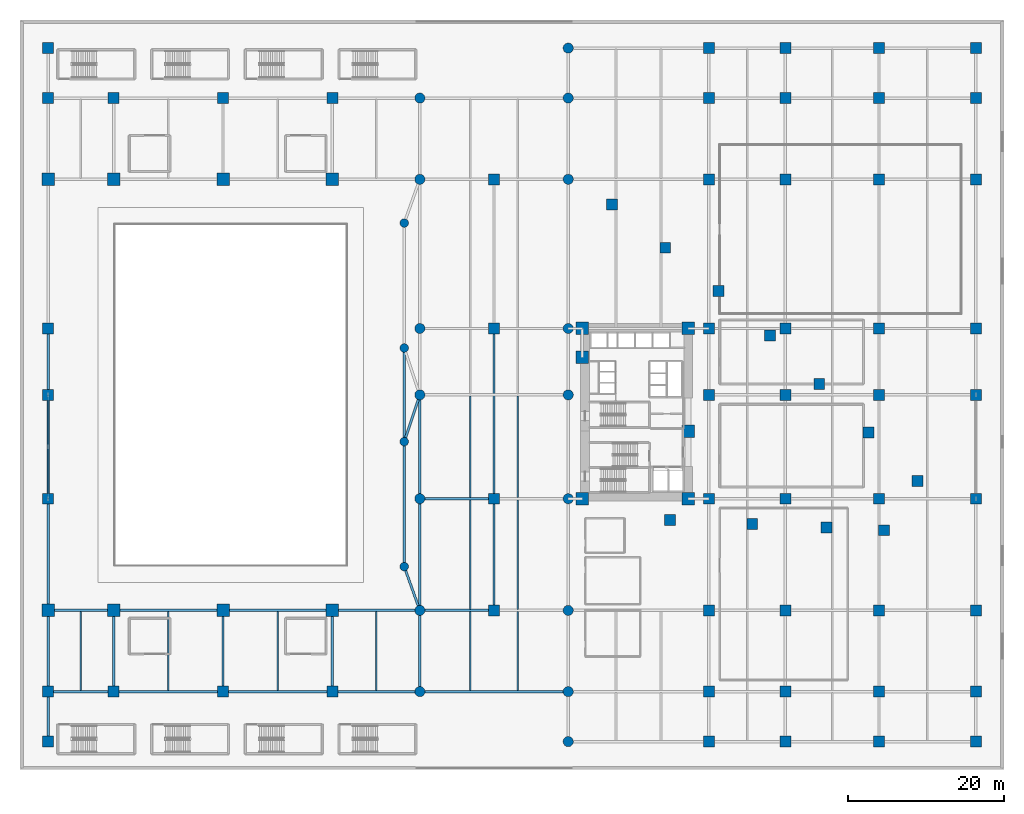
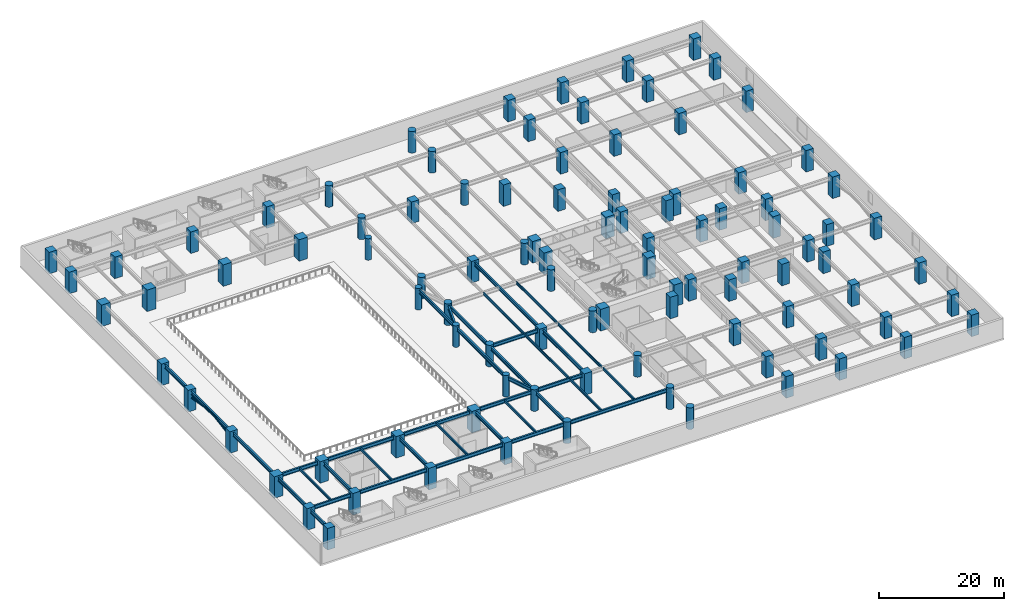
# One storey, part 1 of 22: 98 columns, 38 beams, 2 members.
"""IFC4 building model written with IfcOpenShell, lengths in metres."""

from ifc_helpers import new_model, si_unit, direction, frame, origin, origin_2d, place, context, subcontext, project, spatial, rectangle, circle, hollow_circle, i_section, extrude, material, material_profile, profile_set, type_object, element, save


model = new_model("IFC4")

# Units and contexts
model_context = context("Model", 3, precision=1e-05, world=origin(), true_north=direction((0.0, 1.0)))
body_context = subcontext(model_context, "Body", "Model", "MODEL_VIEW")
ifc_project = project(units=[si_unit("LENGTHUNIT", "METRE"), si_unit("AREAUNIT", "SQUARE_METRE"), si_unit("VOLUMEUNIT", "CUBIC_METRE"), si_unit("PLANEANGLEUNIT", "RADIAN"), si_unit("MASSUNIT", "GRAM", prefix="KILO")], contexts=[model_context])

# Site, building, storey
site_placement = place(None, origin())
site = spatial("IfcSite", under=ifc_project, at=site_placement, CompositionType="ELEMENT")
building_placement = place(site_placement, origin())
building = spatial("IfcBuilding", under=site, at=building_placement, Name="Narakoshi Arena Tower", CompositionType="ELEMENT")
storey_placement = place(building_placement, frame((0.0, 0.0, 13.199951171875)))
storey = spatial("IfcBuildingStorey", under=building, at=storey_placement, Name="L03", CompositionType="ELEMENT", Elevation=13.199951171875)

# Columns
ifc_material_1 = material(Name="Concrete C50/60", Category="concrete")
ifc_material_profile_1 = material_profile(ifc_material_1, circle(Radius=0.550048828125, at=origin_2d()), Name="RCC1100")
ifc_profile_set_1 = profile_set([ifc_material_profile_1], Name="Concrete C50/60")
column_type_1 = type_object("IfcColumnType", Name="COL-CIR1100", PredefinedType="PILASTER", material=ifc_profile_set_1)
for number, where, z_axis, x_axis, name in (
    (1, (49.199951171875, 26.0, 0.0), (0.0, 0.0, 1.0), (1.0, 0.0, 0.0), "L03 Arena Foyer Pilaster Column 01"),
    (2, (49.199951171875, 42.0, 0.0), (0.0, 0.0, 1.0), (1.0, 0.0, 0.0), "L03 Arena Foyer Pilaster Column 02"),
    (3, (49.199951171875, 54.0, 0.0), (0.0, 0.0, 1.0), (1.0, 0.0, 0.0), "L03 Arena Foyer Pilaster Column 03"),
    (4, (49.199951171875, 70.0, 0.0), (0.0, 0.0, 1.0), (1.0, 0.0, 0.0), "L03 Arena Foyer Pilaster Column 04"),
):
    element("IfcColumn", number, at=place(storey_placement, frame(where, z_axis=z_axis, x_axis=x_axis)), inside=storey, type_object=column_type_1, Name=name, PredefinedType="PILASTER", context=body_context, shape_type="SweptSolid", body=[
        extrude(circle(Radius=0.550048828125, at=origin_2d()), origin(), (0.0, 0.0, 1.0), 4.199951171875),
    ])
ifc_material_2 = material(Name="Concrete C60/75", Category="concrete")
ifc_material_profile_2 = material_profile(ifc_material_2, circle(Radius=0.64990234375, at=origin_2d()), Name="RCC1300")
ifc_profile_set_2 = profile_set([ifc_material_profile_2], Name="Concrete C60/75")
column_type_2 = type_object("IfcColumnType", Name="COL-CIR1300", PredefinedType="PILASTER", material=ifc_profile_set_2)
for number, where, z_axis, x_axis, name in (
    (5, (51.199951171875, 10.0, 0.0), (0.0, 0.0, 1.0), (1.0, 0.0, 0.0), "L03 Podium Column PC22"),
    (6, (51.199951171875, 20.39990234375, 0.0), (0.0, 0.0, 1.0), (1.0, 0.0, 0.0), "L03 Podium Column PC23"),
    (7, (51.199951171875, 34.699951171875, 0.0), (0.0, 0.0, 1.0), (1.0, 0.0, 0.0), "L03 Podium Column PC24"),
    (8, (51.199951171875, 48.0, 0.0), (0.0, 0.0, 1.0), (1.0, 0.0, 0.0), "L03 Podium Column PC25"),
    (9, (51.199951171875, 56.5, 0.0), (0.0, 0.0, 1.0), (1.0, 0.0, 0.0), "L03 Podium Column PC26"),
    (10, (51.199951171875, 75.60009765625, 0.0), (0.0, 0.0, 1.0), (1.0, 0.0, 0.0), "L03 Podium Column PC27"),
    (11, (51.199951171875, 86.0, 0.0), (0.0, 0.0, 1.0), (1.0, 0.0, 0.0), "L03 Podium Column PC28"),
    (12, (70.199951171875, 3.60009765625, 0.0), (0.0, 0.0, 1.0), (1.0, 0.0, 0.0), "L03 Podium Column PC33"),
    (13, (70.199951171875, 10.0, 0.0), (0.0, 0.0, 1.0), (1.0, 0.0, 0.0), "L03 Podium Column PC34"),
    (14, (70.199951171875, 20.39990234375, 0.0), (0.0, 0.0, 1.0), (1.0, 0.0, 0.0), "L03 Podium Column PC35"),
    (15, (70.199951171875, 34.699951171875, 0.0), (0.0, 0.0, 1.0), (1.0, 0.0, 0.0), "L03 Podium Column PC36"),
    (16, (70.199951171875, 48.0, 0.0), (0.0, 0.0, 1.0), (1.0, 0.0, 0.0), "L03 Podium Column PC37"),
    (17, (70.199951171875, 56.5, 0.0), (0.0, 0.0, 1.0), (1.0, 0.0, 0.0), "L03 Podium Column PC38"),
    (18, (70.199951171875, 75.60009765625, 0.0), (0.0, 0.0, 1.0), (1.0, 0.0, 0.0), "L03 Podium Column PC39"),
    (19, (70.199951171875, 86.0, 0.0), (0.0, 0.0, 1.0), (1.0, 0.0, 0.0), "L03 Podium Column PC40"),
    (20, (70.199951171875, 92.39990234375, 0.0), (0.0, 0.0, 1.0), (1.0, 0.0, 0.0), "L03 Podium Column PC41"),
):
    element("IfcColumn", number, at=place(storey_placement, frame(where, z_axis=z_axis, x_axis=x_axis)), inside=storey, type_object=column_type_2, Name=name, PredefinedType="PILASTER", context=body_context, shape_type="SweptSolid", body=[
        extrude(circle(Radius=0.64990234375, at=origin_2d()), origin(), (0.0, 0.0, 1.0), 4.199951171875),
    ])
ifc_material_profile_3 = material_profile(ifc_material_2, rectangle(XDim=1.39990234375, YDim=1.39990234375, at=origin_2d()), Name="RC1400x1400")
ifc_profile_set_3 = profile_set([ifc_material_profile_3], Name="Concrete C60/75")
column_type_3 = type_object("IfcColumnType", Name="COL-RC1400", PredefinedType="COLUMN", material=ifc_profile_set_3)
for number, where, z_axis, x_axis, name in (
    (21, (3.60009765625, 3.60009765625, 0.0), (0.0, 0.0, 1.0), (1.0, 0.0, 0.0), "L03 Podium Column PC01"),
    (22, (3.60009765625, 10.0, 0.0), (0.0, 0.0, 1.0), (1.0, 0.0, 0.0), "L03 Podium Column PC02"),
    (23, (3.60009765625, 34.699951171875, 0.0), (0.0, 0.0, 1.0), (1.0, 0.0, 0.0), "L03 Podium Column PC04"),
    (24, (3.60009765625, 48.0, 0.0), (0.0, 0.0, 1.0), (1.0, 0.0, 0.0), "L03 Podium Column PC05"),
    (25, (3.60009765625, 56.5, 0.0), (0.0, 0.0, 1.0), (1.0, 0.0, 0.0), "L03 Podium Column PC06"),
    (26, (3.60009765625, 86.0, 0.0), (0.0, 0.0, 1.0), (1.0, 0.0, 0.0), "L03 Podium Column PC08"),
    (27, (3.60009765625, 92.39990234375, 0.0), (0.0, 0.0, 1.0), (1.0, 0.0, 0.0), "L03 Podium Column PC09"),
    (28, (12.0, 10.0, 0.0), (0.0, 0.0, 1.0), (1.0, 0.0, 0.0), "L03 Podium Column PC10"),
    (29, (12.0, 86.0, 0.0), (0.0, 0.0, 1.0), (1.0, 0.0, 0.0), "L03 Podium Column PC13"),
    (30, (26.0, 10.0, 0.0), (0.0, 0.0, 1.0), (1.0, 0.0, 0.0), "L03 Podium Column PC14"),
    (31, (26.0, 86.0, 0.0), (0.0, 0.0, 1.0), (1.0, 0.0, 0.0), "L03 Podium Column PC17"),
    (32, (40.0, 10.0, 0.0), (0.0, 0.0, 1.0), (1.0, 0.0, 0.0), "L03 Podium Column PC18"),
    (33, (40.0, 86.0, 0.0), (0.0, 0.0, 1.0), (1.0, 0.0, 0.0), "L03 Podium Column PC21"),
    (34, (60.699951171875, 20.39990234375, 0.0), (0.0, 0.0, 1.0), (1.0, 0.0, 0.0), "L03 Podium Column PC29"),
    (35, (60.699951171875, 34.699951171875, 0.0), (0.0, 0.0, 1.0), (1.0, 0.0, 0.0), "L03 Podium Column PC30"),
    (36, (60.699951171875, 56.5, 0.0), (0.0, 0.0, 1.0), (1.0, 0.0, 0.0), "L03 Podium Column PC31"),
    (37, (60.699951171875, 75.60009765625, 0.0), (0.0, 0.0, 1.0), (1.0, 0.0, 0.0), "L03 Podium Column PC32"),
    (38, (88.199951171875, 3.60009765625, 0.0), (0.0, 0.0, 1.0), (1.0, 0.0, 0.0), "L03 Podium Column PC42"),
    (39, (88.199951171875, 10.0, 0.0), (0.0, 0.0, 1.0), (1.0, 0.0, 0.0), "L03 Podium Column PC43"),
    (40, (88.199951171875, 20.39990234375, 0.0), (0.0, 0.0, 1.0), (1.0, 0.0, 0.0), "L03 Podium Column PC44"),
    (41, (88.199951171875, 34.699951171875, 0.0), (0.0, 0.0, 1.0), (1.0, 0.0, 0.0), "L03 Podium Column PC45"),
    (42, (88.199951171875, 48.0, 0.0), (0.0, 0.0, 1.0), (1.0, 0.0, 0.0), "L03 Podium Column PC46"),
    (43, (88.199951171875, 56.5, 0.0), (0.0, 0.0, 1.0), (1.0, 0.0, 0.0), "L03 Podium Column PC47"),
    (44, (88.199951171875, 75.60009765625, 0.0), (0.0, 0.0, 1.0), (1.0, 0.0, 0.0), "L03 Podium Column PC48"),
    (45, (88.199951171875, 86.0, 0.0), (0.0, 0.0, 1.0), (1.0, 0.0, 0.0), "L03 Podium Column PC49"),
    (46, (88.199951171875, 92.39990234375, 0.0), (0.0, 0.0, 1.0), (1.0, 0.0, 0.0), "L03 Podium Column PC50"),
    (47, (98.0, 3.60009765625, 0.0), (0.0, 0.0, 1.0), (1.0, 0.0, 0.0), "L03 Podium Column PC51"),
    (48, (98.0, 10.0, 0.0), (0.0, 0.0, 1.0), (1.0, 0.0, 0.0), "L03 Podium Column PC52"),
    (49, (98.0, 20.39990234375, 0.0), (0.0, 0.0, 1.0), (1.0, 0.0, 0.0), "L03 Podium Column PC53"),
    (50, (98.0, 34.699951171875, 0.0), (0.0, 0.0, 1.0), (1.0, 0.0, 0.0), "L03 Podium Column PC54"),
    (51, (98.0, 48.0, 0.0), (0.0, 0.0, 1.0), (1.0, 0.0, 0.0), "L03 Podium Column PC55"),
    (52, (98.0, 56.5, 0.0), (0.0, 0.0, 1.0), (1.0, 0.0, 0.0), "L03 Podium Column PC56"),
    (53, (98.0, 75.60009765625, 0.0), (0.0, 0.0, 1.0), (1.0, 0.0, 0.0), "L03 Podium Column PC57"),
    (54, (98.0, 86.0, 0.0), (0.0, 0.0, 1.0), (1.0, 0.0, 0.0), "L03 Podium Column PC58"),
    (55, (98.0, 92.39990234375, 0.0), (0.0, 0.0, 1.0), (1.0, 0.0, 0.0), "L03 Podium Column PC59"),
    (56, (110.0, 3.60009765625, 0.0), (0.0, 0.0, 1.0), (1.0, 0.0, 0.0), "L03 Podium Column PC60"),
    (57, (110.0, 10.0, 0.0), (0.0, 0.0, 1.0), (1.0, 0.0, 0.0), "L03 Podium Column PC61"),
    (58, (110.0, 20.39990234375, 0.0), (0.0, 0.0, 1.0), (1.0, 0.0, 0.0), "L03 Podium Column PC62"),
    (59, (110.0, 34.699951171875, 0.0), (0.0, 0.0, 1.0), (1.0, 0.0, 0.0), "L03 Podium Column PC63"),
    (60, (110.0, 48.0, 0.0), (0.0, 0.0, 1.0), (1.0, 0.0, 0.0), "L03 Podium Column PC64"),
    (61, (110.0, 56.5, 0.0), (0.0, 0.0, 1.0), (1.0, 0.0, 0.0), "L03 Podium Column PC65"),
    (62, (110.0, 75.60009765625, 0.0), (0.0, 0.0, 1.0), (1.0, 0.0, 0.0), "L03 Podium Column PC66"),
    (63, (110.0, 86.0, 0.0), (0.0, 0.0, 1.0), (1.0, 0.0, 0.0), "L03 Podium Column PC67"),
    (64, (110.0, 92.39990234375, 0.0), (0.0, 0.0, 1.0), (1.0, 0.0, 0.0), "L03 Podium Column PC68"),
    (65, (122.39990234375, 3.60009765625, 0.0), (0.0, 0.0, 1.0), (1.0, 0.0, 0.0), "L03 Podium Column PC69"),
    (66, (122.39990234375, 10.0, 0.0), (0.0, 0.0, 1.0), (1.0, 0.0, 0.0), "L03 Podium Column PC70"),
    (67, (122.39990234375, 20.39990234375, 0.0), (0.0, 0.0, 1.0), (1.0, 0.0, 0.0), "L03 Podium Column PC71"),
    (68, (122.39990234375, 34.699951171875, 0.0), (0.0, 0.0, 1.0), (1.0, 0.0, 0.0), "L03 Podium Column PC72"),
    (69, (122.39990234375, 48.0, 0.0), (0.0, 0.0, 1.0), (1.0, 0.0, 0.0), "L03 Podium Column PC73"),
    (70, (122.39990234375, 56.5, 0.0), (0.0, 0.0, 1.0), (1.0, 0.0, 0.0), "L03 Podium Column PC74"),
    (71, (122.39990234375, 75.60009765625, 0.0), (0.0, 0.0, 1.0), (1.0, 0.0, 0.0), "L03 Podium Column PC75"),
    (72, (122.39990234375, 86.0, 0.0), (0.0, 0.0, 1.0), (1.0, 0.0, 0.0), "L03 Podium Column PC76"),
    (73, (122.39990234375, 92.39990234375, 0.0), (0.0, 0.0, 1.0), (1.0, 0.0, 0.0), "L03 Podium Column PC77"),
    (74, (83.2119140625, 31.979248046875, 0.0), (0.0, 0.0, 1.0), (1.0, 0.0, 0.0), "L03 Tower Plumb Pier B1P01"),
    (75, (93.760009765625, 31.472412109375, 0.0), (0.0, 0.0, 1.0), (1.0, 0.0, 0.0), "L03 Tower Plumb Pier B1P02"),
    (76, (103.2529296875, 31.0166015625, 0.0), (0.0, 0.0, 1.0), (1.0, 0.0, 0.0), "L03 Tower Plumb Pier B1P03"),
    (77, (110.636474609375, 30.661865234375, 0.0), (0.0, 0.0, 1.0), (1.0, 0.0, 0.0), "L03 Tower Plumb Pier B1P04"),
    (78, (114.942138671875, 36.969970703125, 0.0), (0.0, 0.0, 1.0), (1.0, 0.0, 0.0), "L03 Tower Plumb Pier B1P05"),
    (79, (108.643798828125, 43.171875, 0.0), (0.0, 0.0, 1.0), (1.0, 0.0, 0.0), "L03 Tower Plumb Pier B1P06"),
    (80, (102.345458984375, 49.373779296875, 0.0), (0.0, 0.0, 1.0), (1.0, 0.0, 0.0), "L03 Tower Plumb Pier B1P07"),
    (81, (96.047119140625, 55.57568359375, 0.0), (0.0, 0.0, 1.0), (1.0, 0.0, 0.0), "L03 Tower Plumb Pier B1P08"),
    (82, (89.459716796875, 61.28515625, 0.0), (0.0, 0.0, 1.0), (1.0, 0.0, 0.0), "L03 Tower Plumb Pier B1P09"),
    (83, (82.626953125, 66.838623046875, 0.0), (0.0, 0.0, 1.0), (1.0, 0.0, 0.0), "L03 Tower Plumb Pier B1P10"),
    (84, (75.794189453125, 72.392333984375, 0.0), (0.0, 0.0, 1.0), (1.0, 0.0, 0.0), "L03 Tower Plumb Pier B1P11"),
):
    element("IfcColumn", number, at=place(storey_placement, frame(where, z_axis=z_axis, x_axis=x_axis)), inside=storey, type_object=column_type_3, Name=name, PredefinedType="COLUMN", context=body_context, shape_type="SweptSolid", body=[
        extrude(rectangle(XDim=1.39990234375, YDim=1.39990234375, at=origin_2d()), origin(), (0.0, 0.0, 1.0), 4.199951171875),
    ])
ifc_material_profile_4 = material_profile(ifc_material_2, rectangle(XDim=1.60009765625, YDim=1.60009765625, at=origin_2d()), Name="RC1600x1600")
ifc_profile_set_4 = profile_set([ifc_material_profile_4], Name="Concrete C60/75")
column_type_4 = type_object("IfcColumnType", Name="COL-RC1600", PredefinedType="COLUMN", material=ifc_profile_set_4)
for number, where, z_axis, x_axis, name in (
    (85, (72.0, 34.699951171875, 0.0), (0.0, 0.0, 1.0), (1.0, 0.0, 0.0), "L03 Podium Column CC1"),
    (86, (85.550048828125, 34.699951171875, 0.0), (0.0, 0.0, 1.0), (1.0, 0.0, 0.0), "L03 Podium Column CC2"),
    (87, (85.550048828125, 43.35009765625, 0.0), (0.0, 0.0, 1.0), (1.0, 0.0, 0.0), "L03 Podium Column CC3"),
    (88, (72.0, 52.800048828125, 0.0), (0.0, 0.0, 1.0), (1.0, 0.0, 0.0), "L03 Podium Column CC4"),
    (89, (72.0, 56.5, 0.0), (0.0, 0.0, 1.0), (1.0, 0.0, 0.0), "L03 Podium Column CC5"),
    (90, (85.550048828125, 56.5, 0.0), (0.0, 0.0, 1.0), (1.0, 0.0, 0.0), "L03 Podium Column CC6"),
    (91, (3.60009765625, 20.39990234375, 0.0), (0.0, 0.0, 1.0), (1.0, 0.0, 0.0), "L03 Podium Column PC03"),
    (92, (3.60009765625, 75.60009765625, 0.0), (0.0, 0.0, 1.0), (1.0, 0.0, 0.0), "L03 Podium Column PC07"),
    (93, (12.0, 20.39990234375, 0.0), (0.0, 0.0, 1.0), (1.0, 0.0, 0.0), "L03 Podium Column PC11"),
    (94, (12.0, 75.60009765625, 0.0), (0.0, 0.0, 1.0), (1.0, 0.0, 0.0), "L03 Podium Column PC12"),
    (95, (26.0, 20.39990234375, 0.0), (0.0, 0.0, 1.0), (1.0, 0.0, 0.0), "L03 Podium Column PC15"),
    (96, (26.0, 75.60009765625, 0.0), (0.0, 0.0, 1.0), (1.0, 0.0, 0.0), "L03 Podium Column PC16"),
    (97, (40.0, 20.39990234375, 0.0), (0.0, 0.0, 1.0), (1.0, 0.0, 0.0), "L03 Podium Column PC19"),
    (98, (40.0, 75.60009765625, 0.0), (0.0, 0.0, 1.0), (1.0, 0.0, 0.0), "L03 Podium Column PC20"),
):
    element("IfcColumn", number, at=place(storey_placement, frame(where, z_axis=z_axis, x_axis=x_axis)), inside=storey, type_object=column_type_4, Name=name, PredefinedType="COLUMN", context=body_context, shape_type="SweptSolid", body=[
        extrude(rectangle(XDim=1.60009765625, YDim=1.60009765625, at=origin_2d()), origin(), (0.0, 0.0, 1.0), 4.199951171875),
    ])

# Beams
ifc_material_3 = material(Name="Structural steel S355J2", Category="steel")
ifc_material_profile_5 = material_profile(ifc_material_3, i_section(OverallWidth=0.300048828125, OverallDepth=0.699951171875, WebThickness=0.01708984375, FlangeThickness=0.031982421875, FilletRadius=0.027099609375, at=origin_2d()), Name="HE700B")
ifc_profile_set_5 = profile_set([ifc_material_profile_5], Name="Structural steel S355J2")
beam_type_1 = type_object("IfcBeamType", Name="BM-PRI-700", PredefinedType="BEAM", material=ifc_profile_set_5)
beam_1_placement = place(storey_placement, frame((49.199951171875, 26.0, 3.530029296875), z_axis=(0.336331195321, -0.94174376932, 0.0), x_axis=(0.94174376932, 0.336331195321, 0.0)))
element("IfcBeam", 99, at=beam_1_placement, inside=storey, type_object=beam_type_1, Name="L03 Arena Foyer Tie Beam 01", PredefinedType="BEAM", context=body_context, shape_type="SweptSolid", body=[
    extrude(i_section(OverallWidth=0.300048828125, OverallDepth=0.699951171875, WebThickness=0.01708984375, FlangeThickness=0.031982421875, FilletRadius=0.027099609375, at=origin_2d()), origin(), (0.0, 0.0, 1.0), 5.946533203125),
])
beam_2_placement = place(storey_placement, frame((49.199951171875, 42.0, 3.530029296875), z_axis=(0.316227766017, 0.948683298051, 0.0), x_axis=(-0.948683298051, 0.316227766017, 0.0)))
element("IfcBeam", 100, at=beam_2_placement, inside=storey, type_object=beam_type_1, Name="L03 Arena Foyer Tie Beam 02", PredefinedType="BEAM", context=body_context, shape_type="SweptSolid", body=[
    extrude(i_section(OverallWidth=0.300048828125, OverallDepth=0.699951171875, WebThickness=0.01708984375, FlangeThickness=0.031982421875, FilletRadius=0.027099609375, at=origin_2d()), origin(), (0.0, 0.0, 1.0), 6.324462890625),
])
beam_3_placement = place(storey_placement, frame((49.199951171875, 26.0, 3.530029296875), z_axis=(0.0, 1.0, 0.0), x_axis=(-1.0, 0.0, 0.0)))
element("IfcBeam", 101, at=beam_3_placement, inside=storey, type_object=beam_type_1, Name="L03 Arena Foyer Ring Beam 26", PredefinedType="BEAM", context=body_context, shape_type="SweptSolid", body=[
    extrude(i_section(OverallWidth=0.300048828125, OverallDepth=0.699951171875, WebThickness=0.01708984375, FlangeThickness=0.031982421875, FilletRadius=0.027099609375, at=origin_2d()), origin(), (0.0, 0.0, 1.0), 16.0),
])
beam_4_placement = place(storey_placement, frame((49.199951171875, 42.0, 3.530029296875), z_axis=(0.0, 1.0, 0.0), x_axis=(-1.0, 0.0, 0.0)))
element("IfcBeam", 102, at=beam_4_placement, inside=storey, type_object=beam_type_1, Name="L03 Arena Foyer Ring Beam 42", PredefinedType="BEAM", context=body_context, shape_type="SweptSolid", body=[
    extrude(i_section(OverallWidth=0.300048828125, OverallDepth=0.699951171875, WebThickness=0.01708984375, FlangeThickness=0.031982421875, FilletRadius=0.027099609375, at=origin_2d()), origin(), (0.0, 0.0, 1.0), 12.0),
])
beam_5_placement = place(storey_placement, frame((3.60009765625, 10.0, 3.530029296875), z_axis=(1.0, 0.0, 0.0), x_axis=(0.0, 1.0, 0.0)))
element("IfcBeam", 103, at=beam_5_placement, inside=storey, type_object=beam_type_1, Name="L03 Podium Primary X-Girder 005", PredefinedType="BEAM", context=body_context, shape_type="SweptSolid", body=[
    extrude(i_section(OverallWidth=0.300048828125, OverallDepth=0.699951171875, WebThickness=0.01708984375, FlangeThickness=0.031982421875, FilletRadius=0.027099609375, at=origin_2d()), origin(), (0.0, 0.0, 1.0), 8.39990234375),
])
for number, where, z_axis, x_axis, name in (
    (104, (12.0, 10.0, 3.530029296875), (1.0, 0.0, 0.0), (0.0, 1.0, 0.0), "L03 Podium Primary X-Girder 006"),
    (105, (26.0, 10.0, 3.530029296875), (1.0, 0.0, 0.0), (0.0, 1.0, 0.0), "L03 Podium Primary X-Girder 007"),
):
    element("IfcBeam", number, at=place(storey_placement, frame(where, z_axis=z_axis, x_axis=x_axis)), inside=storey, type_object=beam_type_1, Name=name, PredefinedType="BEAM", context=body_context, shape_type="SweptSolid", body=[
        extrude(i_section(OverallWidth=0.300048828125, OverallDepth=0.699951171875, WebThickness=0.01708984375, FlangeThickness=0.031982421875, FilletRadius=0.027099609375, at=origin_2d()), origin(), (0.0, 0.0, 1.0), 14.0),
    ])
beam_6_placement = place(storey_placement, frame((40.0, 10.0, 3.530029296875), z_axis=(1.0, 0.0, 0.0), x_axis=(0.0, 1.0, 0.0)))
element("IfcBeam", 106, at=beam_6_placement, inside=storey, type_object=beam_type_1, Name="L03 Podium Primary X-Girder 008", PredefinedType="BEAM", context=body_context, shape_type="SweptSolid", body=[
    extrude(i_section(OverallWidth=0.300048828125, OverallDepth=0.699951171875, WebThickness=0.01708984375, FlangeThickness=0.031982421875, FilletRadius=0.027099609375, at=origin_2d()), origin(), (0.0, 0.0, 1.0), 11.199951171875),
])
beam_7_placement = place(storey_placement, frame((51.199951171875, 10.0, 3.530029296875), z_axis=(1.0, 0.0, 0.0), x_axis=(0.0, 1.0, 0.0)))
element("IfcBeam", 107, at=beam_7_placement, inside=storey, type_object=beam_type_1, Name="L03 Podium Primary X-Girder 009", PredefinedType="BEAM", context=body_context, shape_type="SweptSolid", body=[
    extrude(i_section(OverallWidth=0.300048828125, OverallDepth=0.699951171875, WebThickness=0.01708984375, FlangeThickness=0.031982421875, FilletRadius=0.027099609375, at=origin_2d()), origin(), (0.0, 0.0, 1.0), 19.0),
])
beam_8_placement = place(storey_placement, frame((3.60009765625, 20.39990234375, 3.530029296875), z_axis=(1.0, 0.0, 0.0), x_axis=(0.0, 1.0, 0.0)))
element("IfcBeam", 108, at=beam_8_placement, inside=storey, type_object=beam_type_1, Name="L03 Podium Primary X-Girder 014", PredefinedType="BEAM", context=body_context, shape_type="SweptSolid", body=[
    extrude(i_section(OverallWidth=0.300048828125, OverallDepth=0.699951171875, WebThickness=0.01708984375, FlangeThickness=0.031982421875, FilletRadius=0.027099609375, at=origin_2d()), origin(), (0.0, 0.0, 1.0), 8.39990234375),
])
for number, where, z_axis, x_axis, name in (
    (109, (12.0, 20.39990234375, 3.530029296875), (1.0, 0.0, 0.0), (0.0, 1.0, 0.0), "L03 Podium Primary X-Girder 015"),
    (110, (26.0, 20.39990234375, 3.530029296875), (1.0, 0.0, 0.0), (0.0, 1.0, 0.0), "L03 Podium Primary X-Girder 016"),
):
    element("IfcBeam", number, at=place(storey_placement, frame(where, z_axis=z_axis, x_axis=x_axis)), inside=storey, type_object=beam_type_1, Name=name, PredefinedType="BEAM", context=body_context, shape_type="SweptSolid", body=[
        extrude(i_section(OverallWidth=0.300048828125, OverallDepth=0.699951171875, WebThickness=0.01708984375, FlangeThickness=0.031982421875, FilletRadius=0.027099609375, at=origin_2d()), origin(), (0.0, 0.0, 1.0), 14.0),
    ])
beam_9_placement = place(storey_placement, frame((40.0, 20.39990234375, 3.530029296875), z_axis=(1.0, 0.0, 0.0), x_axis=(0.0, 1.0, 0.0)))
element("IfcBeam", 111, at=beam_9_placement, inside=storey, type_object=beam_type_1, Name="L03 Podium Primary X-Girder 017", PredefinedType="BEAM", context=body_context, shape_type="SweptSolid", body=[
    extrude(i_section(OverallWidth=0.300048828125, OverallDepth=0.699951171875, WebThickness=0.01708984375, FlangeThickness=0.031982421875, FilletRadius=0.027099609375, at=origin_2d()), origin(), (0.0, 0.0, 1.0), 11.199951171875),
])
for number, where, z_axis, x_axis, name in (
    (112, (51.199951171875, 20.39990234375, 3.530029296875), (1.0, 0.0, 0.0), (0.0, 1.0, 0.0), "L03 Podium Primary X-Girder 018"),
    (113, (51.199951171875, 34.699951171875, 3.530029296875), (1.0, 0.0, 0.0), (0.0, 1.0, 0.0), "L03 Podium Primary X-Girder 024"),
):
    element("IfcBeam", number, at=place(storey_placement, frame(where, z_axis=z_axis, x_axis=x_axis)), inside=storey, type_object=beam_type_1, Name=name, PredefinedType="BEAM", context=body_context, shape_type="SweptSolid", body=[
        extrude(i_section(OverallWidth=0.300048828125, OverallDepth=0.699951171875, WebThickness=0.01708984375, FlangeThickness=0.031982421875, FilletRadius=0.027099609375, at=origin_2d()), origin(), (0.0, 0.0, 1.0), 9.5),
    ])
beam_10_placement = place(storey_placement, frame((3.60009765625, 3.60009765625, 3.530029296875), z_axis=(0.0, 1.0, 0.0), x_axis=(-1.0, 0.0, 0.0)))
element("IfcBeam", 114, at=beam_10_placement, inside=storey, type_object=beam_type_1, Name="L03 Podium Primary Y-Girder 066", PredefinedType="BEAM", context=body_context, shape_type="SweptSolid", body=[
    extrude(i_section(OverallWidth=0.300048828125, OverallDepth=0.699951171875, WebThickness=0.01708984375, FlangeThickness=0.031982421875, FilletRadius=0.027099609375, at=origin_2d()), origin(), (0.0, 0.0, 1.0), 6.39990234375),
])
beam_11_placement = place(storey_placement, frame((3.60009765625, 10.0, 3.530029296875), z_axis=(0.0, 1.0, 0.0), x_axis=(-1.0, 0.0, 0.0)))
element("IfcBeam", 115, at=beam_11_placement, inside=storey, type_object=beam_type_1, Name="L03 Podium Primary Y-Girder 067", PredefinedType="BEAM", context=body_context, shape_type="SweptSolid", body=[
    extrude(i_section(OverallWidth=0.300048828125, OverallDepth=0.699951171875, WebThickness=0.01708984375, FlangeThickness=0.031982421875, FilletRadius=0.027099609375, at=origin_2d()), origin(), (0.0, 0.0, 1.0), 10.39990234375),
])
beam_12_placement = place(storey_placement, frame((3.60009765625, 20.39990234375, 3.530029296875), z_axis=(0.0, 1.0, 0.0), x_axis=(-1.0, 0.0, 0.0)))
element("IfcBeam", 116, at=beam_12_placement, inside=storey, type_object=beam_type_1, Name="L03 Podium Primary Y-Girder 068", PredefinedType="BEAM", context=body_context, shape_type="SweptSolid", body=[
    extrude(i_section(OverallWidth=0.300048828125, OverallDepth=0.699951171875, WebThickness=0.01708984375, FlangeThickness=0.031982421875, FilletRadius=0.027099609375, at=origin_2d()), origin(), (0.0, 0.0, 1.0), 14.300048828125),
])
beam_13_placement = place(storey_placement, frame((3.60009765625, 34.699951171875, 3.530029296875), z_axis=(0.0, 1.0, 0.0), x_axis=(-1.0, 0.0, 0.0)))
element("IfcBeam", 117, at=beam_13_placement, inside=storey, type_object=beam_type_1, Name="L03 Podium Primary Y-Girder 069", PredefinedType="BEAM", context=body_context, shape_type="SweptSolid", body=[
    extrude(i_section(OverallWidth=0.300048828125, OverallDepth=0.699951171875, WebThickness=0.01708984375, FlangeThickness=0.031982421875, FilletRadius=0.027099609375, at=origin_2d()), origin(), (0.0, 0.0, 1.0), 13.300048828125),
])
beam_14_placement = place(storey_placement, frame((3.60009765625, 48.0, 3.530029296875), z_axis=(0.0, 1.0, 0.0), x_axis=(-1.0, 0.0, 0.0)))
element("IfcBeam", 118, at=beam_14_placement, inside=storey, type_object=beam_type_1, Name="L03 Podium Primary Y-Girder 070", PredefinedType="BEAM", context=body_context, shape_type="SweptSolid", body=[
    extrude(i_section(OverallWidth=0.300048828125, OverallDepth=0.699951171875, WebThickness=0.01708984375, FlangeThickness=0.031982421875, FilletRadius=0.027099609375, at=origin_2d()), origin(), (0.0, 0.0, 1.0), 8.5),
])
for number, where, z_axis, x_axis, name in (
    (119, (12.0, 10.0, 3.530029296875), (0.0, 1.0, 0.0), (-1.0, 0.0, 0.0), "L03 Podium Primary Y-Girder 074"),
    (120, (26.0, 10.0, 3.530029296875), (0.0, 1.0, 0.0), (-1.0, 0.0, 0.0), "L03 Podium Primary Y-Girder 076"),
    (121, (40.0, 10.0, 3.530029296875), (0.0, 1.0, 0.0), (-1.0, 0.0, 0.0), "L03 Podium Primary Y-Girder 078"),
    (122, (51.199951171875, 10.0, 3.530029296875), (0.0, 1.0, 0.0), (-1.0, 0.0, 0.0), "L03 Podium Primary Y-Girder 080"),
):
    element("IfcBeam", number, at=place(storey_placement, frame(where, z_axis=z_axis, x_axis=x_axis)), inside=storey, type_object=beam_type_1, Name=name, PredefinedType="BEAM", context=body_context, shape_type="SweptSolid", body=[
        extrude(i_section(OverallWidth=0.300048828125, OverallDepth=0.699951171875, WebThickness=0.01708984375, FlangeThickness=0.031982421875, FilletRadius=0.027099609375, at=origin_2d()), origin(), (0.0, 0.0, 1.0), 10.39990234375),
    ])
beam_15_placement = place(storey_placement, frame((51.199951171875, 20.39990234375, 3.530029296875), z_axis=(0.0, 1.0, 0.0), x_axis=(-1.0, 0.0, 0.0)))
element("IfcBeam", 123, at=beam_15_placement, inside=storey, type_object=beam_type_1, Name="L03 Podium Primary Y-Girder 081", PredefinedType="BEAM", context=body_context, shape_type="SweptSolid", body=[
    extrude(i_section(OverallWidth=0.300048828125, OverallDepth=0.699951171875, WebThickness=0.01708984375, FlangeThickness=0.031982421875, FilletRadius=0.027099609375, at=origin_2d()), origin(), (0.0, 0.0, 1.0), 14.300048828125),
])
beam_16_placement = place(storey_placement, frame((51.199951171875, 34.699951171875, 3.530029296875), z_axis=(0.0, 1.0, 0.0), x_axis=(-1.0, 0.0, 0.0)))
element("IfcBeam", 124, at=beam_16_placement, inside=storey, type_object=beam_type_1, Name="L03 Podium Primary Y-Girder 082", PredefinedType="BEAM", context=body_context, shape_type="SweptSolid", body=[
    extrude(i_section(OverallWidth=0.300048828125, OverallDepth=0.699951171875, WebThickness=0.01708984375, FlangeThickness=0.031982421875, FilletRadius=0.027099609375, at=origin_2d()), origin(), (0.0, 0.0, 1.0), 13.300048828125),
])
beam_17_placement = place(storey_placement, frame((60.699951171875, 20.39990234375, 3.530029296875), z_axis=(0.0, 1.0, 0.0), x_axis=(-1.0, 0.0, 0.0)))
element("IfcBeam", 125, at=beam_17_placement, inside=storey, type_object=beam_type_1, Name="L03 Podium Primary Y-Girder 086", PredefinedType="BEAM", context=body_context, shape_type="SweptSolid", body=[
    extrude(i_section(OverallWidth=0.300048828125, OverallDepth=0.699951171875, WebThickness=0.01708984375, FlangeThickness=0.031982421875, FilletRadius=0.027099609375, at=origin_2d()), origin(), (0.0, 0.0, 1.0), 14.300048828125),
])
beam_18_placement = place(storey_placement, frame((60.699951171875, 34.699951171875, 3.530029296875), z_axis=(0.0, 1.0, 0.0), x_axis=(-1.0, 0.0, 0.0)))
element("IfcBeam", 126, at=beam_18_placement, inside=storey, type_object=beam_type_1, Name="L03 Podium Primary Y-Girder 087", PredefinedType="BEAM", context=body_context, shape_type="SweptSolid", body=[
    extrude(i_section(OverallWidth=0.300048828125, OverallDepth=0.699951171875, WebThickness=0.01708984375, FlangeThickness=0.031982421875, FilletRadius=0.027099609375, at=origin_2d()), origin(), (0.0, 0.0, 1.0), 21.800048828125),
])
ifc_material_profile_6 = material_profile(ifc_material_3, i_section(OverallWidth=0.199951171875, OverallDepth=0.5, WebThickness=0.01025390625, FlangeThickness=0.01611328125, FilletRadius=0.02099609375, at=origin_2d()), Name="IPE500")
ifc_profile_set_6 = profile_set([ifc_material_profile_6], Name="Structural steel S355J2")
beam_type_2 = type_object("IfcBeamType", Name="BM-SEC-500", PredefinedType="JOIST", material=ifc_profile_set_6)
for number, where, z_axis, x_axis, name in (
    (127, (7.800048828125, 10.135009765625, 3.630126953125), (0.0, 1.0, 0.0), (-1.0, 0.0, 0.0), "L03 Podium Composite Floor Joist 001"),
    (128, (19.0, 10.135009765625, 3.630126953125), (0.0, 1.0, 0.0), (-1.0, 0.0, 0.0), "L03 Podium Composite Floor Joist 003"),
    (129, (33.0, 10.135009765625, 3.630126953125), (0.0, 1.0, 0.0), (-1.0, 0.0, 0.0), "L03 Podium Composite Floor Joist 005"),
    (130, (45.60009765625, 10.135009765625, 3.630126953125), (0.0, 1.0, 0.0), (-1.0, 0.0, 0.0), "L03 Podium Composite Floor Joist 007"),
    (131, (57.659912109375, 10.135009765625, 3.630126953125), (0.0, 1.0, 0.0), (-1.0, 0.0, 0.0), "L03 Podium Composite Floor Joist 009"),
):
    element("IfcBeam", number, at=place(storey_placement, frame(where, z_axis=z_axis, x_axis=x_axis)), inside=storey, type_object=beam_type_2, Name=name, PredefinedType="JOIST", context=body_context, shape_type="SweptSolid", body=[
        extrude(i_section(OverallWidth=0.199951171875, OverallDepth=0.5, WebThickness=0.01025390625, FlangeThickness=0.01611328125, FilletRadius=0.02099609375, at=origin_2d()), origin(), (0.0, 0.0, 1.0), 10.1298828125),
    ])
beam_19_placement = place(storey_placement, frame((57.659912109375, 20.534912109375, 3.630126953125), z_axis=(0.0, 1.0, 0.0), x_axis=(-1.0, 0.0, 0.0)))
element("IfcBeam", 132, at=beam_19_placement, inside=storey, type_object=beam_type_2, Name="L03 Podium Composite Floor Joist 010", PredefinedType="JOIST", context=body_context, shape_type="SweptSolid", body=[
    extrude(i_section(OverallWidth=0.199951171875, OverallDepth=0.5, WebThickness=0.01025390625, FlangeThickness=0.01611328125, FilletRadius=0.02099609375, at=origin_2d()), origin(), (0.0, 0.0, 1.0), 14.030029296875),
])
beam_20_placement = place(storey_placement, frame((57.659912109375, 34.8349609375, 3.630126953125), z_axis=(0.0, 1.0, 0.0), x_axis=(-1.0, 0.0, 0.0)))
element("IfcBeam", 133, at=beam_20_placement, inside=storey, type_object=beam_type_2, Name="L03 Podium Composite Floor Joist 011", PredefinedType="JOIST", context=body_context, shape_type="SweptSolid", body=[
    extrude(i_section(OverallWidth=0.199951171875, OverallDepth=0.5, WebThickness=0.01025390625, FlangeThickness=0.01611328125, FilletRadius=0.02099609375, at=origin_2d()), origin(), (0.0, 0.0, 1.0), 13.030029296875),
])
beam_21_placement = place(storey_placement, frame((63.739990234375, 10.135009765625, 3.630126953125), z_axis=(0.0, 1.0, 0.0), x_axis=(-1.0, 0.0, 0.0)))
element("IfcBeam", 134, at=beam_21_placement, inside=storey, type_object=beam_type_2, Name="L03 Podium Composite Floor Joist 015", PredefinedType="JOIST", context=body_context, shape_type="SweptSolid", body=[
    extrude(i_section(OverallWidth=0.199951171875, OverallDepth=0.5, WebThickness=0.01025390625, FlangeThickness=0.01611328125, FilletRadius=0.02099609375, at=origin_2d()), origin(), (0.0, 0.0, 1.0), 10.1298828125),
])
beam_22_placement = place(storey_placement, frame((63.739990234375, 20.534912109375, 3.630126953125), z_axis=(0.0, 1.0, 0.0), x_axis=(-1.0, 0.0, 0.0)))
element("IfcBeam", 135, at=beam_22_placement, inside=storey, type_object=beam_type_2, Name="L03 Podium Composite Floor Joist 016", PredefinedType="JOIST", context=body_context, shape_type="SweptSolid", body=[
    extrude(i_section(OverallWidth=0.199951171875, OverallDepth=0.5, WebThickness=0.01025390625, FlangeThickness=0.01611328125, FilletRadius=0.02099609375, at=origin_2d()), origin(), (0.0, 0.0, 1.0), 14.030029296875),
])
beam_23_placement = place(storey_placement, frame((63.739990234375, 34.8349609375, 3.630126953125), z_axis=(0.0, 1.0, 0.0), x_axis=(-1.0, 0.0, 0.0)))
element("IfcBeam", 136, at=beam_23_placement, inside=storey, type_object=beam_type_2, Name="L03 Podium Composite Floor Joist 017", PredefinedType="JOIST", context=body_context, shape_type="SweptSolid", body=[
    extrude(i_section(OverallWidth=0.199951171875, OverallDepth=0.5, WebThickness=0.01025390625, FlangeThickness=0.01611328125, FilletRadius=0.02099609375, at=origin_2d()), origin(), (0.0, 0.0, 1.0), 13.030029296875),
])

# Members
ifc_material_profile_7 = material_profile(ifc_material_3, hollow_circle(Radius=0.161865234375, WallThickness=0.012451171875, at=origin_2d()), Name="CHS323x12")
ifc_profile_set_7 = profile_set([ifc_material_profile_7], Name="Structural steel S355J2")
member_type = type_object("IfcMemberType", Name="MEM-BR-323", PredefinedType="BRACE", material=ifc_profile_set_7)
member_1_placement = place(storey_placement, frame((3.60009765625, 34.699951171875, 2.400146484375), z_axis=(0.0, 0.985871569865, 0.167502978279), x_axis=(-1.0, 0.0, 0.0)))
element("IfcMember", 137, at=member_1_placement, inside=storey, type_object=member_type, Name="L03 Podium Lateral Brace 1A", PredefinedType="BRACE", context=body_context, shape_type="SweptSolid", body=[
    extrude(hollow_circle(Radius=0.161865234375, WallThickness=0.012451171875, at=origin_2d()), origin(), (0.0, 0.0, 1.0), 6.745361328125),
])
member_2_placement = place(storey_placement, frame((3.60009765625, 48.0, 2.400146484375), z_axis=(0.0, -0.985870554324, 0.167508955335), x_axis=(1.0, 0.0, 0.0)))
element("IfcMember", 138, at=member_2_placement, inside=storey, type_object=member_type, Name="L03 Podium Lateral Brace 1B", PredefinedType="BRACE", context=body_context, shape_type="SweptSolid", body=[
    extrude(hollow_circle(Radius=0.161865234375, WallThickness=0.012451171875, at=origin_2d()), origin(), (0.0, 0.0, 1.0), 6.7451171875),
])

save(model, "model.ifc")
